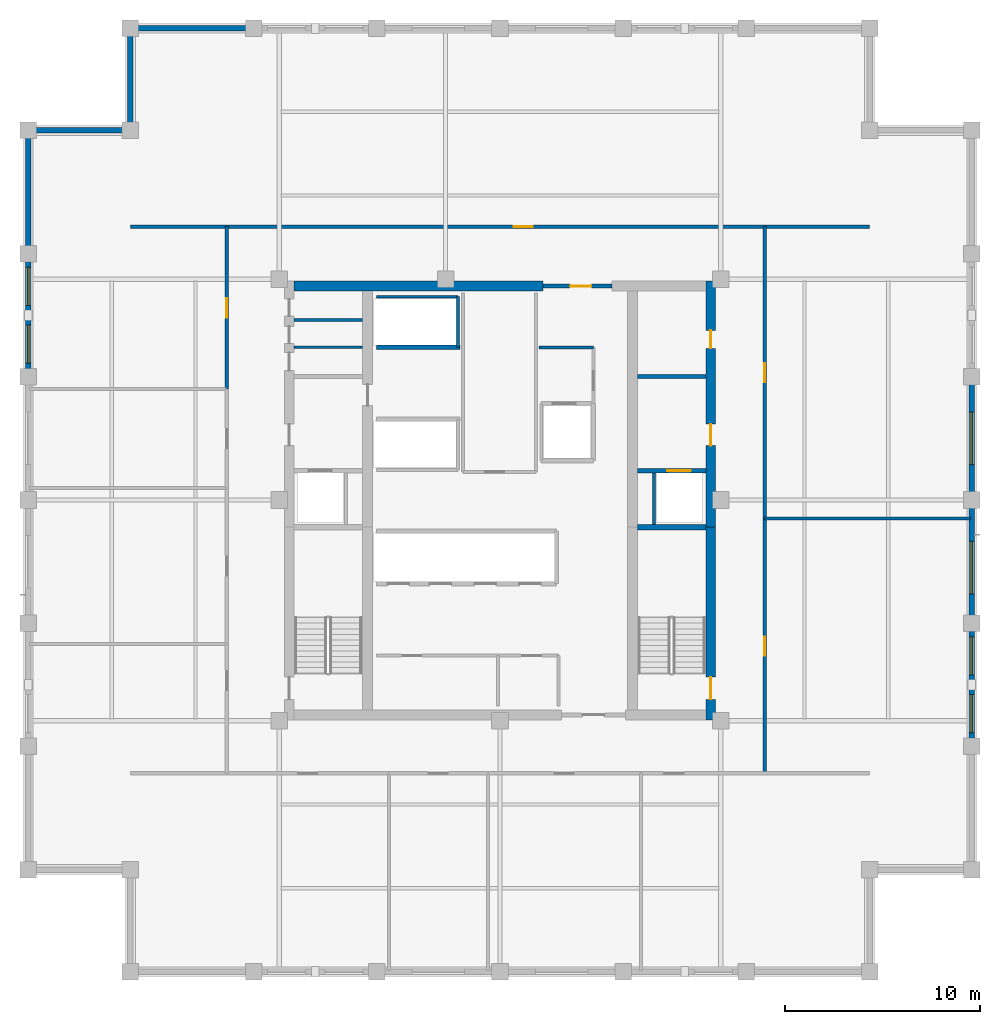
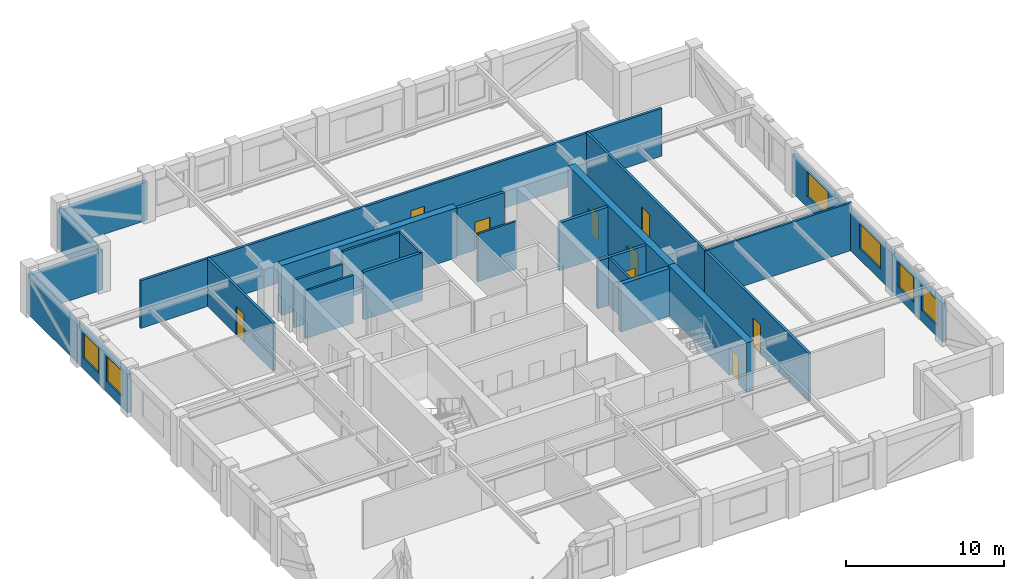
# One storey, part 7 of 9: 27 walls, 9 doors, 6 windows, 15 openings.
"""IFC4 building model written with IfcOpenShell, lengths in metres."""

import ifcopenshell
import ifcopenshell.guid

model = None  # the IFC model being written
_history = None  # IfcOwnerHistory: only IFC2X3 demands one
_inside = {}  # id of a spatial element -> (the spatial element, [elements in it])
_under = {}  # id of a project, library or spatial element -> (it, [spatial elements below it])
_declared = {}  # id of a project -> (the project, [libraries it declares])
_typed = {}  # id of a type object -> (the type object, [elements of that type])
_made_of = {}  # id of a material, layer set ... -> (it, [elements and type objects made of it])


def new_model(schema):
    """Start an empty IFC model of exactly this schema.

    Asked for "IFC4X3", IfcOpenShell would pick the latest addendum, in which some entities
    have other attributes; the version numbers below select the first issue.
    IFC2X3 requires an IfcOwnerHistory on every rooted entity: one is made here for all.
    """
    global model, _history
    if schema == "IFC4X3":
        model = ifcopenshell.file(schema_version=(4, 3, 0, 0))
    else:
        model = ifcopenshell.file(schema=schema)
    _inside.clear()
    _under.clear()
    _declared.clear()
    _typed.clear()
    _made_of.clear()
    _history = None
    if model.schema == "IFC2X3":
        org = make("IfcOrganization", Name="unknown")
        user = make(
            "IfcPersonAndOrganization",
            ThePerson=make("IfcPerson", FamilyName="unknown"),
            TheOrganization=org,
        )
        app = make(
            "IfcApplication",
            ApplicationDeveloper=org,
            Version="unknown",
            ApplicationFullName="unknown",
            ApplicationIdentifier="unknown",
        )
        _history = make(
            "IfcOwnerHistory",
            OwningUser=user,
            OwningApplication=app,
            ChangeAction="ADDED",
            CreationDate=0,
        )
    return model


def make(cls, **values):
    """One entity of the class cls with the attributes given. An attribute that is None is left unset."""
    return model.create_entity(
        cls, **{name: value for name, value in values.items() if value is not None}
    )


def rooted(cls, **values):
    """An entity with a GlobalId (a new one), such as an element, a storey or a relation."""
    return make(cls, GlobalId=ifcopenshell.guid.new(), OwnerHistory=_history, **values)


def si_unit(unit_type, name, prefix=None):
    """IfcSIUnit, for example si_unit("LENGTHUNIT", "METRE", prefix="MILLI")."""
    return make("IfcSIUnit", UnitType=unit_type, Prefix=prefix, Name=name)


def assignment(units):
    """IfcUnitAssignment: the units of a project."""
    return None if units is None else make("IfcUnitAssignment", Units=units)


def point(xyz):
    """IfcCartesianPoint."""
    return None if xyz is None else make("IfcCartesianPoint", Coordinates=xyz)


def direction(xyz):
    """IfcDirection."""
    return None if xyz is None else make("IfcDirection", DirectionRatios=xyz)


def frame(location, z_axis=None, x_axis=None):
    """IfcAxis2Placement3D, a coordinate frame: its origin and axes. An axis left out is left unset."""
    return make(
        "IfcAxis2Placement3D",
        Location=point(location),
        Axis=direction(z_axis),
        RefDirection=direction(x_axis),
    )


def frame_2d(location, x_axis=None):
    """IfcAxis2Placement2D, a coordinate frame in the plane: its origin and x axis."""
    return make(
        "IfcAxis2Placement2D", Location=point(location), RefDirection=direction(x_axis)
    )


def origin():
    """The frame at (0, 0, 0) with its axes left unset."""
    return frame((0.0, 0.0, 0.0))


def place(relative_to, where):
    """IfcLocalPlacement: puts the frame where relative to a parent placement (None: the world)."""
    return make(
        "IfcLocalPlacement", PlacementRelTo=relative_to, RelativePlacement=where
    )


def context(
    kind, dimensions, precision=None, world=None, true_north=None, identifier=None
):
    """IfcGeometricRepresentationContext, for example the 3D "Model" context."""
    return make(
        "IfcGeometricRepresentationContext",
        ContextIdentifier=identifier,
        ContextType=kind,
        CoordinateSpaceDimension=dimensions,
        Precision=precision,
        WorldCoordinateSystem=world,
        TrueNorth=true_north,
    )


def subcontext(parent, identifier, kind, view, scale=None):
    """IfcGeometricRepresentationSubContext, for example "Body" below "Model"."""
    return make(
        "IfcGeometricRepresentationSubContext",
        ContextIdentifier=identifier,
        ContextType=kind,
        ParentContext=parent,
        TargetScale=scale,
        TargetView=view,
    )


def project(units=None, contexts=None):
    """IfcProject with its units and contexts."""
    return rooted(
        "IfcProject",
        Name="project",
        RepresentationContexts=contexts,
        UnitsInContext=assignment(units),
    )


def spatial(cls, under=None, at=None, **own):
    """A site, building, storey or space (cls), placed at a placement, below another one or the project."""
    s = rooted(cls, ObjectPlacement=at, **own)
    if under is not None:
        _under.setdefault(under.id(), (under, []))[1].append(s)
    return s


def profile(cls, at=None, kind="AREA", **sizes):
    """A parametric profile (cls). Its sizes go by their IFC names, for example OverallWidth=200.0."""
    return make(cls, ProfileType=kind, Position=at, **sizes)


def rectangle(**sizes):
    """IfcRectangleProfileDef."""
    return profile("IfcRectangleProfileDef", **sizes)


def extrude(swept, where, along, depth):
    """IfcExtrudedAreaSolid: the profile swept, set in the frame where, extruded along a direction by depth."""
    return make(
        "IfcExtrudedAreaSolid",
        SweptArea=swept,
        Position=where,
        ExtrudedDirection=direction(along),
        Depth=depth,
    )


def shape(context_of_items, identifier, shape_type, items):
    """IfcShapeRepresentation: the items that make up one representation, for example the "Body"."""
    return make(
        "IfcShapeRepresentation",
        ContextOfItems=context_of_items,
        RepresentationIdentifier=identifier,
        RepresentationType=shape_type,
        Items=items,
    )


def material(Name=None, Category=None):
    """IfcMaterial."""
    return make("IfcMaterial", Name=Name, Category=Category)


def layer(
    of_material, thickness, ventilated=None, Name=None, Category=None, Priority=None
):
    """IfcMaterialLayer: one layer of a wall or slab, of a material (None: an air gap)."""
    return make(
        "IfcMaterialLayer",
        Material=of_material,
        LayerThickness=thickness,
        IsVentilated=ventilated,
        Name=Name,
        Category=Category,
        Priority=Priority,
    )


def layer_set(layers, Name=None):
    """IfcMaterialLayerSet."""
    return make("IfcMaterialLayerSet", MaterialLayers=layers, LayerSetName=Name)


def made_of(thing, what):
    """Note that an element or type object is made of a material, layer set ...; save() writes the relation."""
    if what is not None:
        _made_of.setdefault(what.id(), (what, []))[1].append(thing)
    return thing


def type_object(cls, material=None, **own):
    """A type object (cls), such as IfcWallType, which elements share."""
    return made_of(rooted(cls, **own), material)


def element(
    cls,
    number,
    at=None,
    inside=None,
    cuts=None,
    type_object=None,
    material=None,
    context=None,
    identifier="Body",
    shape_type=None,
    held_by="IfcProductDefinitionShape",
    body=None,
    shapes=None,
    **own,
):
    """One element of the class cls, such as IfcWall. Its Tag is "e" and its number.

    at: its placement. inside: the storey or other place that contains it. cuts: it is an
    opening in that element (IfcRelVoidsElement). A single representation is given by context,
    identifier, shape_type and body (its items); several are given by shapes. held_by: the class
    of the entity that holds the representations. save() writes the other relations.
    """
    e = rooted(cls, Tag="e%d" % number, ObjectPlacement=at, **own)
    if body is not None:
        shapes = [shape(context, identifier, shape_type, body)]
    if shapes is not None:
        e.Representation = make(held_by, Representations=shapes)
    if inside is not None:
        _inside.setdefault(inside.id(), (inside, []))[1].append(e)
    if cuts is not None:
        rooted(
            "IfcRelVoidsElement", RelatingBuildingElement=cuts, RelatedOpeningElement=e
        )
    if type_object is not None:
        _typed.setdefault(type_object.id(), (type_object, []))[1].append(e)
    return made_of(e, material)


def fill(opening, filler):
    """IfcRelFillsElement: the door or window that sits in an opening."""
    return rooted(
        "IfcRelFillsElement",
        RelatingOpeningElement=opening,
        RelatedBuildingElement=filler,
    )


def aggregate(whole, parts):
    """IfcRelAggregates: a whole, such as a stair, and the parts it consists of."""
    return rooted("IfcRelAggregates", RelatingObject=whole, RelatedObjects=parts)


def save(model, path):
    """Write the relations noted so far, then the file.

    IfcRelAggregates (storeys below a building ...), IfcRelContainedInSpatialStructure (elements
    in a storey), IfcRelDefinesByType, IfcRelAssociatesMaterial and IfcRelDeclares: one each for
    every whole, place, type object, material and project.
    """
    for whole, parts in _under.values():
        aggregate(whole, parts)
    for where, things in _inside.values():
        rooted(
            "IfcRelContainedInSpatialStructure",
            RelatedElements=things,
            RelatingStructure=where,
        )
    for kind, things in _typed.values():
        rooted("IfcRelDefinesByType", RelatedObjects=things, RelatingType=kind)
    for what, things in _made_of.values():
        rooted("IfcRelAssociatesMaterial", RelatedObjects=things, RelatingMaterial=what)
    for by, libraries in _declared.values():
        rooted("IfcRelDeclares", RelatingContext=by, RelatedDefinitions=libraries)
    model.write(path)


model = new_model("IFC4")

# Units and contexts
model_context = context("Model", 3, precision=1e-05, world=origin(), true_north=direction((0.0, 1.0)))
body_context = subcontext(model_context, "Body", "Model", "MODEL_VIEW")
ifc_project = project(units=[si_unit("LENGTHUNIT", "METRE"), si_unit("AREAUNIT", "SQUARE_METRE"), si_unit("VOLUMEUNIT", "CUBIC_METRE"), si_unit("PLANEANGLEUNIT", "RADIAN"), si_unit("MASSUNIT", "GRAM", prefix="KILO")], contexts=[model_context])

# Site, building, storey
site_placement = place(None, origin())
site = spatial("IfcSite", under=ifc_project, at=site_placement, CompositionType="ELEMENT")
building_placement = place(site_placement, origin())
building = spatial("IfcBuilding", under=site, at=building_placement, Name="Nhamokura Convention Tower", CompositionType="ELEMENT")
storey_placement = place(building_placement, frame((0.0, 0.0, 221.550048828125)))
storey = spatial("IfcBuildingStorey", under=building, at=storey_placement, Name="L54", CompositionType="ELEMENT", Elevation=221.550048828125)

# Walls
ifc_material_1 = material(Name="Moisture-resistant tile-backer partition", Category="masonry")
ifc_layer_1 = layer(ifc_material_1, 0.139892578125)
ifc_layer_set_1 = layer_set([ifc_layer_1], Name="BathroomWetWall_140")
wall_type_1 = type_object("IfcWallType", Name="BathroomWetWall_140", PredefinedType="STANDARD", material=ifc_layer_set_1)
wall_1_placement = place(storey_placement, frame((21.409912109375, 39.85009765625, 0.0), z_axis=(0.0, 0.0, 1.0), x_axis=(1.0, 0.0, 0.0)))
element("IfcWall", 1, at=wall_1_placement, inside=storey, type_object=wall_type_1, Name="L54 Wall INT-L54-CWNW1", PredefinedType="STANDARD", context=body_context, shape_type="SweptSolid", body=[
    extrude(rectangle(XDim=3.530029296875, YDim=0.139892578125, at=frame_2d((1.76513671875, 0.0))), origin(), (0.0, 0.0, 1.0), 3.68505859375),
])
ifc_material_2 = material(Name="Bronze-pigmented precast concrete C45/55", Category="concrete")
ifc_layer_2 = layer(ifc_material_2, 0.280029296875)
ifc_layer_set_2 = layer_set([ifc_layer_2], Name="BronzePrecastSpandrel_280")
wall_type_2 = type_object("IfcWallType", Name="BronzePrecastSpandrel_280", PredefinedType="USERDEFINED", material=ifc_layer_set_2)
wall_2_placement = place(storey_placement, frame((13.0, 56.25, 0.0), z_axis=(0.0, 0.0, 1.0), x_axis=(1.0, 0.0, 0.0)))
element("IfcWall", 2, at=wall_2_placement, inside=storey, type_object=wall_type_2, Name="L54 Braced-Bay Precast Wall NORTH 0", ObjectType="SPANDREL_WALL", PredefinedType="USERDEFINED", context=body_context, shape_type="SweptSolid", body=[
    extrude(rectangle(XDim=6.333251953125, YDim=0.280029296875, at=frame_2d((3.16650390625, 0.0))), origin(), (0.0, 0.0, 1.0), 2.98486328125),
])

# Wall, openings, windows
wall_3_placement = place(storey_placement, frame((7.75, 38.333251953125, 0.0), z_axis=(0.0, 0.0, 1.0), x_axis=(0.0, 1.0, 0.0)))
wall_3 = element("IfcWall", 3, at=wall_3_placement, inside=storey, type_object=wall_type_2, Name="L54 Masonry-Frame Wall WEST 4", ObjectType="SPANDREL_WALL", PredefinedType="USERDEFINED", context=body_context, shape_type="SweptSolid", body=[
    extrude(rectangle(XDim=6.33349609375, YDim=0.280029296875, at=frame_2d((3.166748046875, 0.0))), origin(), (0.0, 0.0, 1.0), 2.98486328125),
])
opening_1_placement = place(wall_3_placement, frame((0.708251953125, 0.0, 0.85009765625)))
opening_1 = element("IfcOpeningElement", 4, at=opening_1_placement, cuts=wall_3, Name="Opening W-08", PredefinedType="OPENING", context=body_context, shape_type="SweptSolid", body=[
    extrude(rectangle(XDim=1.949951171875, YDim=1.93505859375, at=frame_2d((0.97509765625, 0.967529296875))), frame((0.0, 0.14990234375, 0.0), z_axis=(0.0, -1.0, 0.0), x_axis=(1.0, 0.0, 0.0)), (0.0, 0.0, 1.0), 0.300048828125),
])
opening_2_placement = place(wall_3_placement, frame((3.675048828125, 0.0, 0.85009765625)))
opening_2 = element("IfcOpeningElement", 5, at=opening_2_placement, cuts=wall_3, Name="Opening W-08", PredefinedType="OPENING", context=body_context, shape_type="SweptSolid", body=[
    extrude(rectangle(XDim=1.949951171875, YDim=1.93505859375, at=frame_2d((0.97509765625, 0.967529296875))), frame((0.0, 0.14990234375, 0.0), z_axis=(0.0, -1.0, 0.0), x_axis=(1.0, 0.0, 0.0)), (0.0, 0.0, 1.0), 0.300048828125),
])
ifc_material_3 = material(Name="Solar-control bronze low-E double glass", Category="glass")
window_type_1 = type_object("IfcWindowType", Name="OfficeModuleWindow_Z3_1950", PartitioningType="SINGLE_PANEL", PredefinedType="WINDOW", material=ifc_material_3)
window_1_placement = place(opening_1_placement, origin())
window_1 = element("IfcWindow", 6, at=window_1_placement, inside=storey, type_object=window_type_1, Name="L54 Facade Window WEST 4-1", OverallHeight=1.93505859375, OverallWidth=1.949951171875, PartitioningType="SINGLE_PANEL", PredefinedType="WINDOW", context=body_context, shape_type="SweptSolid", body=[
    extrude(rectangle(XDim=1.949951171875, YDim=1.93505859375, at=frame_2d((0.97509765625, 0.967529296875))), frame((0.0, 0.030029296875, 0.0), z_axis=(0.0, -1.0, 0.0), x_axis=(1.0, 0.0, 0.0)), (0.0, 0.0, 1.0), 0.06005859375),
])
fill(opening_1, window_1)
window_2_placement = place(opening_2_placement, origin())
window_2 = element("IfcWindow", 7, at=window_2_placement, inside=storey, type_object=window_type_1, Name="L54 Facade Window WEST 4-2", OverallHeight=1.93505859375, OverallWidth=1.949951171875, PartitioningType="SINGLE_PANEL", PredefinedType="WINDOW", context=body_context, shape_type="SweptSolid", body=[
    extrude(rectangle(XDim=1.949951171875, YDim=1.93505859375, at=frame_2d((0.97509765625, 0.967529296875))), frame((0.0, 0.030029296875, 0.0), z_axis=(0.0, -1.0, 0.0), x_axis=(1.0, 0.0, 0.0)), (0.0, 0.0, 1.0), 0.06005859375),
])
fill(opening_2, window_2)

# Wall
wall_4_placement = place(storey_placement, frame((7.75, 44.666748046875, 0.0), z_axis=(0.0, 0.0, 1.0), x_axis=(0.0, 1.0, 0.0)))
element("IfcWall", 8, at=wall_4_placement, inside=storey, type_object=wall_type_2, Name="L54 Braced-Bay Precast Wall WEST 5", ObjectType="SPANDREL_WALL", PredefinedType="USERDEFINED", context=body_context, shape_type="SweptSolid", body=[
    extrude(rectangle(XDim=6.333251953125, YDim=0.280029296875, at=frame_2d((3.16650390625, 0.0))), origin(), (0.0, 0.0, 1.0), 2.98486328125),
])

# Wall, openings, windows
wall_5_placement = place(storey_placement, frame((56.25, 25.666748046875, 0.0), z_axis=(0.0, 0.0, 1.0), x_axis=(0.0, -1.0, 0.0)))
wall_5 = element("IfcWall", 9, at=wall_5_placement, inside=storey, type_object=wall_type_2, Name="L54 Masonry-Frame Wall EAST 1", ObjectType="SPANDREL_WALL", PredefinedType="USERDEFINED", context=body_context, shape_type="SweptSolid", body=[
    extrude(rectangle(XDim=6.33349609375, YDim=0.280029296875, at=frame_2d((3.166748046875, 0.0))), origin(), (0.0, 0.0, 1.0), 2.98486328125),
])
opening_3_placement = place(wall_5_placement, frame((0.708251953125, 0.0, 0.85009765625)))
opening_3 = element("IfcOpeningElement", 10, at=opening_3_placement, cuts=wall_5, Name="Opening W-08", PredefinedType="OPENING", context=body_context, shape_type="SweptSolid", body=[
    extrude(rectangle(XDim=1.949951171875, YDim=1.93505859375, at=frame_2d((0.97509765625, 0.967529296875))), frame((0.0, 0.14990234375, 0.0), z_axis=(0.0, -1.0, 0.0), x_axis=(1.0, 0.0, 0.0)), (0.0, 0.0, 1.0), 0.300048828125),
])
opening_4_placement = place(wall_5_placement, frame((3.675048828125, 0.0, 0.85009765625)))
opening_4 = element("IfcOpeningElement", 11, at=opening_4_placement, cuts=wall_5, Name="Opening W-08", PredefinedType="OPENING", context=body_context, shape_type="SweptSolid", body=[
    extrude(rectangle(XDim=1.949951171875, YDim=1.93505859375, at=frame_2d((0.97509765625, 0.967529296875))), frame((0.0, 0.14990234375, 0.0), z_axis=(0.0, -1.0, 0.0), x_axis=(1.0, 0.0, 0.0)), (0.0, 0.0, 1.0), 0.300048828125),
])
window_3_placement = place(opening_3_placement, origin())
window_3 = element("IfcWindow", 12, at=window_3_placement, inside=storey, type_object=window_type_1, Name="L54 Facade Window EAST 1-1", OverallHeight=1.93505859375, OverallWidth=1.949951171875, PartitioningType="SINGLE_PANEL", PredefinedType="WINDOW", context=body_context, shape_type="SweptSolid", body=[
    extrude(rectangle(XDim=1.949951171875, YDim=1.93505859375, at=frame_2d((0.97509765625, 0.967529296875))), frame((0.0, 0.030029296875, 0.0), z_axis=(0.0, -1.0, 0.0), x_axis=(1.0, 0.0, 0.0)), (0.0, 0.0, 1.0), 0.06005859375),
])
fill(opening_3, window_3)
window_4_placement = place(opening_4_placement, origin())
window_4 = element("IfcWindow", 13, at=window_4_placement, inside=storey, type_object=window_type_1, Name="L54 Facade Window EAST 1-2", OverallHeight=1.93505859375, OverallWidth=1.949951171875, PartitioningType="SINGLE_PANEL", PredefinedType="WINDOW", context=body_context, shape_type="SweptSolid", body=[
    extrude(rectangle(XDim=1.949951171875, YDim=1.93505859375, at=frame_2d((0.97509765625, 0.967529296875))), frame((0.0, 0.030029296875, 0.0), z_axis=(0.0, -1.0, 0.0), x_axis=(1.0, 0.0, 0.0)), (0.0, 0.0, 1.0), 0.06005859375),
])
fill(opening_4, window_4)

# Wall, opening, window
wall_6_placement = place(storey_placement, frame((56.25, 32.0, 0.0), z_axis=(0.0, 0.0, 1.0), x_axis=(0.0, -1.0, 0.0)))
wall_6 = element("IfcWall", 14, at=wall_6_placement, inside=storey, type_object=wall_type_2, Name="L54 Masonry-Frame Wall EAST 2", ObjectType="SPANDREL_WALL", PredefinedType="USERDEFINED", context=body_context, shape_type="SweptSolid", body=[
    extrude(rectangle(XDim=6.333251953125, YDim=0.280029296875, at=frame_2d((3.16650390625, 0.0))), origin(), (0.0, 0.0, 1.0), 2.98486328125),
])
opening_5_placement = place(wall_6_placement, frame((2.129150390625, 0.0, 0.85009765625)))
opening_5 = element("IfcOpeningElement", 15, at=opening_5_placement, cuts=wall_6, Name="Opening W-07", PredefinedType="OPENING", context=body_context, shape_type="SweptSolid", body=[
    extrude(rectangle(XDim=2.699951171875, YDim=1.93505859375, at=frame_2d((1.35009765625, 0.967529296875))), frame((0.0, 0.14990234375, 0.0), z_axis=(0.0, -1.0, 0.0), x_axis=(1.0, 0.0, 0.0)), (0.0, 0.0, 1.0), 0.300048828125),
])
ifc_material_4 = material(Name="Solar-control bronze low-E double glass", Category="glass")
window_type_2 = type_object("IfcWindowType", Name="OfficeModuleWindow_Z3_2700", PartitioningType="DOUBLE_PANEL_VERTICAL", PredefinedType="WINDOW", material=ifc_material_4)
window_5_placement = place(opening_5_placement, origin())
window_5 = element("IfcWindow", 16, at=window_5_placement, inside=storey, type_object=window_type_2, Name="L54 Facade Window EAST 2", OverallHeight=1.93505859375, OverallWidth=2.699951171875, PartitioningType="SINGLE_PANEL", PredefinedType="WINDOW", context=body_context, shape_type="SweptSolid", body=[
    extrude(rectangle(XDim=2.699951171875, YDim=1.93505859375, at=frame_2d((1.35009765625, 0.967529296875))), frame((0.0, 0.030029296875, 0.0), z_axis=(0.0, -1.0, 0.0), x_axis=(1.0, 0.0, 0.0)), (0.0, 0.0, 1.0), 0.06005859375),
])
fill(opening_5, window_5)

wall_7_placement = place(storey_placement, frame((56.25, 38.333251953125, 0.0), z_axis=(0.0, 0.0, 1.0), x_axis=(0.0, -1.0, 0.0)))
wall_7 = element("IfcWall", 17, at=wall_7_placement, inside=storey, type_object=wall_type_2, Name="L54 Masonry-Frame Wall EAST 3", ObjectType="SPANDREL_WALL", PredefinedType="USERDEFINED", context=body_context, shape_type="SweptSolid", body=[
    extrude(rectangle(XDim=6.333251953125, YDim=0.280029296875, at=frame_2d((3.16650390625, 0.0))), origin(), (0.0, 0.0, 1.0), 2.98486328125),
])
opening_6_placement = place(wall_7_placement, frame((1.816650390625, 0.0, 0.85009765625)))
opening_6 = element("IfcOpeningElement", 18, at=opening_6_placement, cuts=wall_7, Name="Opening W-07", PredefinedType="OPENING", context=body_context, shape_type="SweptSolid", body=[
    extrude(rectangle(XDim=2.699951171875, YDim=1.93505859375, at=frame_2d((1.35009765625, 0.967529296875))), frame((0.0, 0.14990234375, 0.0), z_axis=(0.0, -1.0, 0.0), x_axis=(1.0, 0.0, 0.0)), (0.0, 0.0, 1.0), 0.300048828125),
])
window_6_placement = place(opening_6_placement, origin())
window_6 = element("IfcWindow", 19, at=window_6_placement, inside=storey, type_object=window_type_2, Name="L54 Facade Window EAST 3", OverallHeight=1.93505859375, OverallWidth=2.699951171875, PartitioningType="SINGLE_PANEL", PredefinedType="WINDOW", context=body_context, shape_type="SweptSolid", body=[
    extrude(rectangle(XDim=2.699951171875, YDim=1.93505859375, at=frame_2d((1.35009765625, 0.967529296875))), frame((0.0, 0.030029296875, 0.0), z_axis=(0.0, -1.0, 0.0), x_axis=(1.0, 0.0, 0.0)), (0.0, 0.0, 1.0), 0.06005859375),
])
fill(opening_6, window_6)

# Walls
for number, where, z_axis, x_axis, name in (
    (20, (13.0, 51.0, 0.0), (0.0, 0.0, 1.0), (0.0, 1.0, 0.0), "L54 Notched Corner Wall NW1"),
    (21, (7.75, 51.0, 0.0), (0.0, 0.0, 1.0), (1.0, 0.0, 0.0), "L54 Notched Corner Wall NW2"),
):
    element("IfcWall", number, at=place(storey_placement, frame(where, z_axis=z_axis, x_axis=x_axis)), inside=storey, type_object=wall_type_2, Name=name, ObjectType="SPANDREL_WALL", PredefinedType="USERDEFINED", context=body_context, shape_type="SweptSolid", body=[
        extrude(rectangle(XDim=5.25, YDim=0.280029296875, at=frame_2d((2.625, 0.0))), origin(), (0.0, 0.0, 1.0), 2.98486328125),
    ])

# Wall, opening, door
ifc_material_5 = material(Name="Concrete C60/75", Category="concrete")
ifc_layer_3 = layer(ifc_material_5, 0.5)
ifc_layer_set_3 = layer_set([ifc_layer_3], Name="CoreShearWall_500")
wall_type_3 = type_object("IfcWallType", Name="CoreShearWall_500", PredefinedType="SHEAR", material=ifc_layer_set_3)
wall_8_placement = place(storey_placement, frame((42.840087890625, 20.699951171875, 0.0), z_axis=(0.0, 0.0, 1.0), x_axis=(0.0, 1.0, 0.0)))
wall_8 = element("IfcWall", 22, at=wall_8_placement, inside=storey, type_object=wall_type_3, Name="L54 Core Shear Wall CW-ES", PredefinedType="SHEAR", context=body_context, shape_type="SweptSolid", body=[
    extrude(rectangle(XDim=9.900146484375, YDim=0.5, at=frame_2d((4.9501953125, 0.0))), origin(), (0.0, 0.0, 1.0), 3.849853515625),
])
opening_7_placement = place(wall_8_placement, frame((1.050048828125, 0.0, 0.0)))
opening_7 = element("IfcOpeningElement", 23, at=opening_7_placement, cuts=wall_8, Name="Opening D-04", PredefinedType="OPENING", context=body_context, shape_type="SweptSolid", body=[
    extrude(rectangle(XDim=1.14990234375, YDim=2.14990234375, at=frame_2d((0.574951171875, 1.074951171875))), frame((0.0, 0.260009765625, 0.0), z_axis=(0.0, -1.0, 0.0), x_axis=(1.0, 0.0, 0.0)), (0.0, 0.0, 1.0), 0.52001953125),
])
ifc_material_6 = material(Name="Fire-rated steel door", Category="steel")
door_type_1 = type_object("IfcDoorType", Name="StairSmokeDoor_1150", OperationType="NOTDEFINED", PredefinedType="DOOR", material=ifc_material_6)
door_1_placement = place(opening_7_placement, origin())
door_1 = element("IfcDoor", 24, at=door_1_placement, inside=storey, type_object=door_type_1, Name="L54 Core Door INT-L54-D-ST02", OperationType="SINGLE_SWING_RIGHT", OverallHeight=2.14990234375, OverallWidth=1.14990234375, PredefinedType="DOOR", context=body_context, shape_type="SweptSolid", body=[
    extrude(rectangle(XDim=1.14990234375, YDim=2.14990234375, at=frame_2d((0.574951171875, 1.074951171875))), frame((0.0, 0.02490234375, 0.0), z_axis=(0.0, -1.0, 0.0), x_axis=(1.0, 0.0, 0.0)), (0.0, 0.0, 1.0), 0.050048828125),
])
fill(opening_7, door_1)

# Wall, openings, doors
wall_9_placement = place(storey_placement, frame((42.840087890625, 30.60009765625, 0.0), z_axis=(0.0, 0.0, 1.0), x_axis=(0.0, 1.0, 0.0)))
wall_9 = element("IfcWall", 25, at=wall_9_placement, inside=storey, type_object=wall_type_3, Name="L54 Core Shear Wall CW-EN", PredefinedType="SHEAR", context=body_context, shape_type="SweptSolid", body=[
    extrude(rectangle(XDim=12.64990234375, YDim=0.5, at=frame_2d((6.324951171875, 0.0))), origin(), (0.0, 0.0, 1.0), 3.849853515625),
])
opening_8_placement = place(wall_9_placement, frame((4.199951171875, 0.0, 0.0)))
opening_8 = element("IfcOpeningElement", 26, at=opening_8_placement, cuts=wall_9, Name="Opening D-05", PredefinedType="OPENING", context=body_context, shape_type="SweptSolid", body=[
    extrude(rectangle(XDim=1.10009765625, YDim=2.14990234375, at=frame_2d((0.550048828125, 1.074951171875))), frame((0.0, 0.260009765625, 0.0), z_axis=(0.0, -1.0, 0.0), x_axis=(1.0, 0.0, 0.0)), (0.0, 0.0, 1.0), 0.52001953125),
])
opening_9_placement = place(wall_9_placement, frame((9.199951171875, 0.0, 0.0)))
opening_9 = element("IfcOpeningElement", 27, at=opening_9_placement, cuts=wall_9, Name="Opening D-10", PredefinedType="OPENING", context=body_context, shape_type="SweptSolid", body=[
    extrude(rectangle(XDim=0.919921875, YDim=2.10009765625, at=frame_2d((0.4599609375, 1.050048828125))), frame((0.0, 0.260009765625, 0.0), z_axis=(0.0, -1.0, 0.0), x_axis=(1.0, 0.0, 0.0)), (0.0, 0.0, 1.0), 0.52001953125),
])
ifc_material_7 = material(Name="Solid oak hardwood", Category="wood")
door_type_2 = type_object("IfcDoorType", Name="AccessibleWCDoor_920", OperationType="NOTDEFINED", PredefinedType="DOOR", material=ifc_material_7)
door_2_placement = place(opening_9_placement, origin())
door_2 = element("IfcDoor", 28, at=door_2_placement, inside=storey, type_object=door_type_2, Name="L54 Core Door INT-L54-D-UWC", OperationType="SINGLE_SWING_RIGHT", OverallHeight=2.10009765625, OverallWidth=0.919921875, PredefinedType="DOOR", context=body_context, shape_type="SweptSolid", body=[
    extrude(rectangle(XDim=0.919921875, YDim=2.10009765625, at=frame_2d((0.4599609375, 1.050048828125))), frame((0.0, 0.02490234375, 0.0), z_axis=(0.0, -1.0, 0.0), x_axis=(1.0, 0.0, 0.0)), (0.0, 0.0, 1.0), 0.050048828125),
])
fill(opening_9, door_2)
ifc_material_8 = material(Name="Fire-rated steel door", Category="steel")
door_type_3 = type_object("IfcDoorType", Name="FireLobbyDoor_1100", OperationType="NOTDEFINED", PredefinedType="DOOR", material=ifc_material_8)
door_3_placement = place(opening_8_placement, origin())
door_3 = element("IfcDoor", 29, at=door_3_placement, inside=storey, type_object=door_type_3, Name="L54 Core Door INT-L54-D-FFLE", OperationType="SINGLE_SWING_LEFT", OverallHeight=2.14990234375, OverallWidth=1.10009765625, PredefinedType="DOOR", context=body_context, shape_type="SweptSolid", body=[
    extrude(rectangle(XDim=1.10009765625, YDim=2.14990234375, at=frame_2d((0.550048828125, 1.074951171875))), frame((0.0, 0.02490234375, 0.0), z_axis=(0.0, -1.0, 0.0), x_axis=(1.0, 0.0, 0.0)), (0.0, 0.0, 1.0), 0.050048828125),
])
fill(opening_8, door_3)

# Wall
wall_10_placement = place(storey_placement, frame((21.409912109375, 43.0, 0.0), z_axis=(0.0, 0.0, 1.0), x_axis=(1.0, 0.0, 0.0)))
element("IfcWall", 30, at=wall_10_placement, inside=storey, type_object=wall_type_3, Name="L54 Core Shear Wall CW-N1", PredefinedType="SHEAR", context=body_context, shape_type="SweptSolid", body=[
    extrude(rectangle(XDim=12.7900390625, YDim=0.5, at=frame_2d((6.39501953125, 0.0))), origin(), (0.0, 0.0, 1.0), 3.849853515625),
])

# Wall, opening, door
ifc_material_9 = material(Name="Fire-rated gypsum and masonry partition", Category="masonry")
ifc_layer_4 = layer(ifc_material_9, 0.179931640625)
ifc_layer_set_4 = layer_set([ifc_layer_4], Name="CorridorRatedWall_180")
wall_type_4 = type_object("IfcWallType", Name="CorridorRatedWall_180", PredefinedType="STANDARD", material=ifc_layer_set_4)
wall_11_placement = place(storey_placement, frame((13.0, 46.050048828125, 0.0), z_axis=(0.0, 0.0, 1.0), x_axis=(1.0, 0.0, 0.0)))
wall_11 = element("IfcWall", 31, at=wall_11_placement, inside=storey, type_object=wall_type_4, Name="L54 Wall INT-L54-CW-N00", PredefinedType="STANDARD", context=body_context, shape_type="SweptSolid", body=[
    extrude(rectangle(XDim=38.0, YDim=0.179931640625, at=frame_2d((19.0, 0.0))), origin(), (0.0, 0.0, 1.0), 3.68505859375),
])
opening_10_placement = place(wall_11_placement, frame((19.699951171875, 0.0, 0.0)))
opening_10 = element("IfcOpeningElement", 32, at=opening_10_placement, cuts=wall_11, Name="Opening D-08", PredefinedType="OPENING", context=body_context, shape_type="SweptSolid", body=[
    extrude(rectangle(XDim=0.97998046875, YDim=2.199951171875, at=frame_2d((0.489990234375, 1.10009765625))), frame((0.0, 0.099853515625, 0.0), z_axis=(0.0, -1.0, 0.0), x_axis=(1.0, 0.0, 0.0)), (0.0, 0.0, 1.0), 0.199951171875),
])
ifc_material_10 = material(Name="Solid oak hardwood", Category="wood")
door_type_4 = type_object("IfcDoorType", Name="OfficeEntryDoor_980", OperationType="NOTDEFINED", PredefinedType="DOOR", material=ifc_material_10)
door_4_placement = place(opening_10_placement, origin())
door_4 = element("IfcDoor", 33, at=door_4_placement, inside=storey, type_object=door_type_4, Name="L54 Boardroom N01 Door", OperationType="SINGLE_SWING_LEFT", OverallHeight=2.199951171875, OverallWidth=0.97998046875, PredefinedType="DOOR", context=body_context, shape_type="SweptSolid", body=[
    extrude(rectangle(XDim=0.97998046875, YDim=2.199951171875, at=frame_2d((0.489990234375, 1.10009765625))), frame((0.0, 0.02490234375, 0.0), z_axis=(0.0, -1.0, 0.0), x_axis=(1.0, 0.0, 0.0)), (0.0, 0.0, 1.0), 0.050048828125),
])
fill(opening_10, door_4)

wall_12_placement = place(storey_placement, frame((17.949951171875, 37.708251953125, 0.0), z_axis=(0.0, 0.0, 1.0), x_axis=(0.0, 1.0, 0.0)))
wall_12 = element("IfcWall", 34, at=wall_12_placement, inside=storey, type_object=wall_type_4, Name="L54 Wall INT-L54-CW-W03", PredefinedType="STANDARD", context=body_context, shape_type="SweptSolid", body=[
    extrude(rectangle(XDim=8.341796875, YDim=0.179931640625, at=frame_2d((4.1708984375, 0.0))), origin(), (0.0, 0.0, 1.0), 3.68505859375),
])
opening_11_placement = place(wall_12_placement, frame((3.6708984375, 0.0, 0.0)))
opening_11 = element("IfcOpeningElement", 35, at=opening_11_placement, cuts=wall_12, Name="Opening D-08", PredefinedType="OPENING", context=body_context, shape_type="SweptSolid", body=[
    extrude(rectangle(XDim=0.97998046875, YDim=2.199951171875, at=frame_2d((0.489990234375, 1.10009765625))), frame((0.0, 0.099853515625, 0.0), z_axis=(0.0, -1.0, 0.0), x_axis=(1.0, 0.0, 0.0)), (0.0, 0.0, 1.0), 0.199951171875),
])
door_5_placement = place(opening_11_placement, origin())
door_5 = element("IfcDoor", 36, at=door_5_placement, inside=storey, type_object=door_type_4, Name="L54 Kitchen W04 Door", OperationType="SINGLE_SWING_RIGHT", OverallHeight=2.199951171875, OverallWidth=0.97998046875, PredefinedType="DOOR", context=body_context, shape_type="SweptSolid", body=[
    extrude(rectangle(XDim=0.97998046875, YDim=2.199951171875, at=frame_2d((0.489990234375, 1.10009765625))), frame((0.0, 0.02490234375, 0.0), z_axis=(0.0, -1.0, 0.0), x_axis=(1.0, 0.0, 0.0)), (0.0, 0.0, 1.0), 0.050048828125),
])
fill(opening_11, door_5)

wall_13_placement = place(storey_placement, frame((45.60009765625, 17.949951171875, 0.0), z_axis=(0.0, 0.0, 1.0), x_axis=(0.0, 1.0, 0.0)))
wall_13 = element("IfcWall", 37, at=wall_13_placement, inside=storey, type_object=wall_type_4, Name="L54 Wall INT-L54-CW-E00", PredefinedType="STANDARD", context=body_context, shape_type="SweptSolid", body=[
    extrude(rectangle(XDim=13.10009765625, YDim=0.179931640625, at=frame_2d((6.550048828125, 0.0))), origin(), (0.0, 0.0, 1.0), 3.68505859375),
])
opening_12_placement = place(wall_13_placement, frame((6.050048828125, 0.0, 0.0)))
opening_12 = element("IfcOpeningElement", 38, at=opening_12_placement, cuts=wall_13, Name="Opening D-08", PredefinedType="OPENING", context=body_context, shape_type="SweptSolid", body=[
    extrude(rectangle(XDim=0.97998046875, YDim=2.199951171875, at=frame_2d((0.489990234375, 1.10009765625))), frame((0.0, 0.099853515625, 0.0), z_axis=(0.0, -1.0, 0.0), x_axis=(1.0, 0.0, 0.0)), (0.0, 0.0, 1.0), 0.199951171875),
])
door_6_placement = place(opening_12_placement, origin())
door_6 = element("IfcDoor", 39, at=door_6_placement, inside=storey, type_object=door_type_4, Name="L54 Executive Lounge E01 Door", OperationType="SINGLE_SWING_LEFT", OverallHeight=2.199951171875, OverallWidth=0.97998046875, PredefinedType="DOOR", context=body_context, shape_type="SweptSolid", body=[
    extrude(rectangle(XDim=0.97998046875, YDim=2.199951171875, at=frame_2d((0.489990234375, 1.10009765625))), frame((0.0, 0.02490234375, 0.0), z_axis=(0.0, -1.0, 0.0), x_axis=(1.0, 0.0, 0.0)), (0.0, 0.0, 1.0), 0.050048828125),
])
fill(opening_12, door_6)

wall_14_placement = place(storey_placement, frame((45.60009765625, 31.050048828125, 0.0), z_axis=(0.0, 0.0, 1.0), x_axis=(0.0, 1.0, 0.0)))
wall_14 = element("IfcWall", 40, at=wall_14_placement, inside=storey, type_object=wall_type_4, Name="L54 Wall INT-L54-CW-E01", PredefinedType="STANDARD", context=body_context, shape_type="SweptSolid", body=[
    extrude(rectangle(XDim=15.0, YDim=0.179931640625, at=frame_2d((7.5, 0.0))), origin(), (0.0, 0.0, 1.0), 3.68505859375),
])
opening_13_placement = place(wall_14_placement, frame((7.0, 0.0, 0.0)))
opening_13 = element("IfcOpeningElement", 41, at=opening_13_placement, cuts=wall_14, Name="Opening D-08", PredefinedType="OPENING", context=body_context, shape_type="SweptSolid", body=[
    extrude(rectangle(XDim=0.97998046875, YDim=2.199951171875, at=frame_2d((0.489990234375, 1.10009765625))), frame((0.0, 0.099853515625, 0.0), z_axis=(0.0, -1.0, 0.0), x_axis=(1.0, 0.0, 0.0)), (0.0, 0.0, 1.0), 0.199951171875),
])
door_7_placement = place(opening_13_placement, origin())
door_7 = element("IfcDoor", 42, at=door_7_placement, inside=storey, type_object=door_type_4, Name="L54 Collaboration Lounge E02 Door", OperationType="SINGLE_SWING_RIGHT", OverallHeight=2.199951171875, OverallWidth=0.97998046875, PredefinedType="DOOR", context=body_context, shape_type="SweptSolid", body=[
    extrude(rectangle(XDim=0.97998046875, YDim=2.199951171875, at=frame_2d((0.489990234375, 1.10009765625))), frame((0.0, 0.02490234375, 0.0), z_axis=(0.0, -1.0, 0.0), x_axis=(1.0, 0.0, 0.0)), (0.0, 0.0, 1.0), 0.050048828125),
])
fill(opening_13, door_7)

ifc_material_11 = material(Name="Autoclaved concrete blockwork", Category="masonry")
ifc_layer_5 = layer(ifc_material_11, 0.219970703125)
ifc_layer_set_5 = layer_set([ifc_layer_5], Name="FireLobbyWall_220")
wall_type_5 = type_object("IfcWallType", Name="FireLobbyWall_220", PredefinedType="STANDARD", material=ifc_layer_set_5)
wall_15_placement = place(storey_placement, frame((39.06005859375, 33.5, 0.0), z_axis=(0.0, 0.0, 1.0), x_axis=(1.0, 0.0, 0.0)))
wall_15 = element("IfcWall", 43, at=wall_15_placement, inside=storey, type_object=wall_type_5, Name="L54 Wall INT-L54-FFE-S", PredefinedType="STANDARD", context=body_context, shape_type="SweptSolid", body=[
    extrude(rectangle(XDim=3.530029296875, YDim=0.219970703125, at=frame_2d((1.76513671875, 0.0))), origin(), (0.0, 0.0, 1.0), 3.68505859375),
])
opening_14_placement = place(wall_15_placement, frame((1.550048828125, 0.0, 0.0)))
opening_14 = element("IfcOpeningElement", 44, at=opening_14_placement, cuts=wall_15, Name="Opening LD-02", PredefinedType="OPENING", context=body_context, shape_type="SweptSolid", body=[
    extrude(rectangle(XDim=1.199951171875, YDim=2.199951171875, at=frame_2d((0.60009765625, 1.10009765625))), frame((0.0, 0.119873046875, 0.0), z_axis=(0.0, -1.0, 0.0), x_axis=(1.0, 0.0, 0.0)), (0.0, 0.0, 1.0), 0.239990234375),
])
ifc_material_12 = material(Name="Anodised bronze stainless steel", Category="steel")
door_type_5 = type_object("IfcDoorType", Name="LiftLandingDoor_FireService", OperationType="DOUBLE_DOOR_SLIDING", PredefinedType="DOOR", material=ifc_material_12)
door_8_placement = place(opening_14_placement, origin())
door_8 = element("IfcDoor", 45, at=door_8_placement, inside=storey, type_object=door_type_5, Name="L54 Firefighting Lift LF-02 Door", OperationType="DOUBLE_DOOR_SLIDING", OverallHeight=2.199951171875, OverallWidth=1.199951171875, PredefinedType="DOOR", context=body_context, shape_type="SweptSolid", body=[
    extrude(rectangle(XDim=1.199951171875, YDim=2.199951171875, at=frame_2d((0.60009765625, 1.10009765625))), frame((0.0, 0.02490234375, 0.0), z_axis=(0.0, -1.0, 0.0), x_axis=(1.0, 0.0, 0.0)), (0.0, 0.0, 1.0), 0.050048828125),
])
fill(opening_14, door_8)

# Walls
wall_16_placement = place(storey_placement, frame((39.06005859375, 38.35009765625, 0.0), z_axis=(0.0, 0.0, 1.0), x_axis=(1.0, 0.0, 0.0)))
element("IfcWall", 46, at=wall_16_placement, inside=storey, type_object=wall_type_5, Name="L54 Wall INT-L54-FFE-N", PredefinedType="STANDARD", context=body_context, shape_type="SweptSolid", body=[
    extrude(rectangle(XDim=3.530029296875, YDim=0.219970703125, at=frame_2d((1.76513671875, 0.0))), origin(), (0.0, 0.0, 1.0), 3.68505859375),
])
wall_17_placement = place(storey_placement, frame((25.64990234375, 39.85009765625, 0.0), z_axis=(0.0, 0.0, 1.0), x_axis=(1.0, 0.0, 0.0)))
element("IfcWall", 47, at=wall_17_placement, inside=storey, type_object=wall_type_5, Name="L54 Wall INT-L54-B3N", PredefinedType="STANDARD", context=body_context, shape_type="SweptSolid", body=[
    extrude(rectangle(XDim=4.300048828125, YDim=0.219970703125, at=frame_2d((2.14990234375, 0.0))), origin(), (0.0, 0.0, 1.0), 3.68505859375),
])

# Wall, opening, door
wall_18_placement = place(storey_placement, frame((34.199951171875, 43.0, 0.0), z_axis=(0.0, 0.0, 1.0), x_axis=(1.0, 0.0, 0.0)))
wall_18 = element("IfcWall", 48, at=wall_18_placement, inside=storey, type_object=wall_type_5, Name="L54 Wall INT-L54-CPORT-N", PredefinedType="STANDARD", context=body_context, shape_type="SweptSolid", body=[
    extrude(rectangle(XDim=3.550048828125, YDim=0.219970703125, at=frame_2d((1.77490234375, 0.0))), origin(), (0.0, 0.0, 1.0), 3.68505859375),
])
opening_15_placement = place(wall_18_placement, frame((1.39990234375, 0.0, 0.0)))
opening_15 = element("IfcOpeningElement", 49, at=opening_15_placement, cuts=wall_18, Name="Opening D-05", PredefinedType="OPENING", context=body_context, shape_type="SweptSolid", body=[
    extrude(rectangle(XDim=1.10009765625, YDim=2.14990234375, at=frame_2d((0.550048828125, 1.074951171875))), frame((0.0, 0.119873046875, 0.0), z_axis=(0.0, -1.0, 0.0), x_axis=(1.0, 0.0, 0.0)), (0.0, 0.0, 1.0), 0.239990234375),
])
door_9_placement = place(opening_15_placement, origin())
door_9 = element("IfcDoor", 50, at=door_9_placement, inside=storey, type_object=door_type_3, Name="L54 North Core Lobby Portal Door", OperationType="SINGLE_SWING_RIGHT", OverallHeight=2.14990234375, OverallWidth=1.10009765625, PredefinedType="DOOR", context=body_context, shape_type="SweptSolid", body=[
    extrude(rectangle(XDim=1.10009765625, YDim=2.14990234375, at=frame_2d((0.550048828125, 1.074951171875))), frame((0.0, 0.02490234375, 0.0), z_axis=(0.0, -1.0, 0.0), x_axis=(1.0, 0.0, 0.0)), (0.0, 0.0, 1.0), 0.050048828125),
])
fill(opening_15, door_9)

# Walls
ifc_material_13 = material(Name="Acoustic gypsum stud partition", Category="masonry")
ifc_layer_6 = layer(ifc_material_13, 0.14990234375)
ifc_layer_set_6 = layer_set([ifc_layer_6], Name="InteriorPartition_150")
wall_type_6 = type_object("IfcWallType", Name="InteriorPartition_150", PredefinedType="STANDARD", material=ifc_layer_set_6)
wall_19_placement = place(storey_placement, frame((39.919921875, 30.75, 0.0), z_axis=(0.0, 0.0, 1.0), x_axis=(0.0, 1.0, 0.0)))
element("IfcWall", 51, at=wall_19_placement, inside=storey, type_object=wall_type_6, Name="L54 Wall INT-L54-FF2-W", PredefinedType="STANDARD", context=body_context, shape_type="SweptSolid", body=[
    extrude(rectangle(XDim=2.64990234375, YDim=0.14990234375, at=frame_2d((1.324951171875, 0.0))), origin(), (0.0, 0.0, 1.0), 3.68505859375),
])
wall_20_placement = place(storey_placement, frame((21.409912109375, 41.25, 0.0), z_axis=(0.0, 0.0, 1.0), x_axis=(1.0, 0.0, 0.0)))
element("IfcWall", 52, at=wall_20_placement, inside=storey, type_object=wall_type_6, Name="L54 Wall INT-L54-CWNW2", PredefinedType="STANDARD", context=body_context, shape_type="SweptSolid", body=[
    extrude(rectangle(XDim=3.530029296875, YDim=0.14990234375, at=frame_2d((1.76513671875, 0.0))), origin(), (0.0, 0.0, 1.0), 3.68505859375),
])
wall_21_placement = place(storey_placement, frame((34.0, 39.85009765625, 0.0), z_axis=(0.0, 0.0, 1.0), x_axis=(1.0, 0.0, 0.0)))
element("IfcWall", 53, at=wall_21_placement, inside=storey, type_object=wall_type_6, Name="L54 Wall INT-L54-NE-TELN", PredefinedType="STANDARD", context=body_context, shape_type="SweptSolid", body=[
    extrude(rectangle(XDim=2.800048828125, YDim=0.14990234375, at=frame_2d((1.39990234375, 0.0))), origin(), (0.0, 0.0, 1.0), 3.68505859375),
])
wall_22_placement = place(storey_placement, frame((25.64990234375, 42.449951171875, 0.0), z_axis=(0.0, 0.0, 1.0), x_axis=(1.0, 0.0, 0.0)))
element("IfcWall", 54, at=wall_22_placement, inside=storey, type_object=wall_type_6, Name="L54 Wall INT-L54-B3B-N", PredefinedType="STANDARD", context=body_context, shape_type="SweptSolid", body=[
    extrude(rectangle(XDim=4.2001953125, YDim=0.14990234375, at=frame_2d((2.10009765625, 0.0))), origin(), (0.0, 0.0, 1.0), 3.68505859375),
])
wall_23_placement = place(storey_placement, frame((29.85009765625, 39.85009765625, 0.0), z_axis=(0.0, 0.0, 1.0), x_axis=(0.0, 1.0, 0.0)))
element("IfcWall", 55, at=wall_23_placement, inside=storey, type_object=wall_type_6, Name="L54 Wall INT-L54-B3B-E", PredefinedType="STANDARD", context=body_context, shape_type="SweptSolid", body=[
    extrude(rectangle(XDim=2.599853515625, YDim=0.14990234375, at=frame_2d((1.2998046875, 0.0))), origin(), (0.0, 0.0, 1.0), 3.68505859375),
])
wall_24_placement = place(storey_placement, frame((45.60009765625, 31.050048828125, 0.0), z_axis=(0.0, 0.0, 1.0), x_axis=(1.0, 0.0, 0.0)))
element("IfcWall", 56, at=wall_24_placement, inside=storey, type_object=wall_type_6, Name="L54 Wall INT-L54-RW-E01", PredefinedType="STANDARD", context=body_context, shape_type="SweptSolid", body=[
    extrude(rectangle(XDim=10.58984375, YDim=0.14990234375, at=frame_2d((5.294921875, 0.0))), origin(), (0.0, 0.0, 1.0), 3.68505859375),
])
ifc_material_14 = material(Name="Concrete C50/60", Category="concrete")
ifc_layer_7 = layer(ifc_material_14, 0.300048828125)
ifc_layer_set_7 = layer_set([ifc_layer_7], Name="ShaftEnclosureWall_300")
wall_type_7 = type_object("IfcWallType", Name="ShaftEnclosureWall_300", PredefinedType="SHEAR", material=ifc_layer_set_7)
wall_25_placement = place(storey_placement, frame((39.06005859375, 30.60009765625, 0.0), z_axis=(0.0, 0.0, 1.0), x_axis=(1.0, 0.0, 0.0)))
element("IfcWall", 57, at=wall_25_placement, inside=storey, type_object=wall_type_7, Name="L54 Wall INT-L54-ST02-N", PredefinedType="SHEAR", context=body_context, shape_type="SweptSolid", body=[
    extrude(rectangle(XDim=3.530029296875, YDim=0.300048828125, at=frame_2d((1.76513671875, 0.0))), origin(), (0.0, 0.0, 1.0), 3.68505859375),
])

save(model, "model.ifc")
